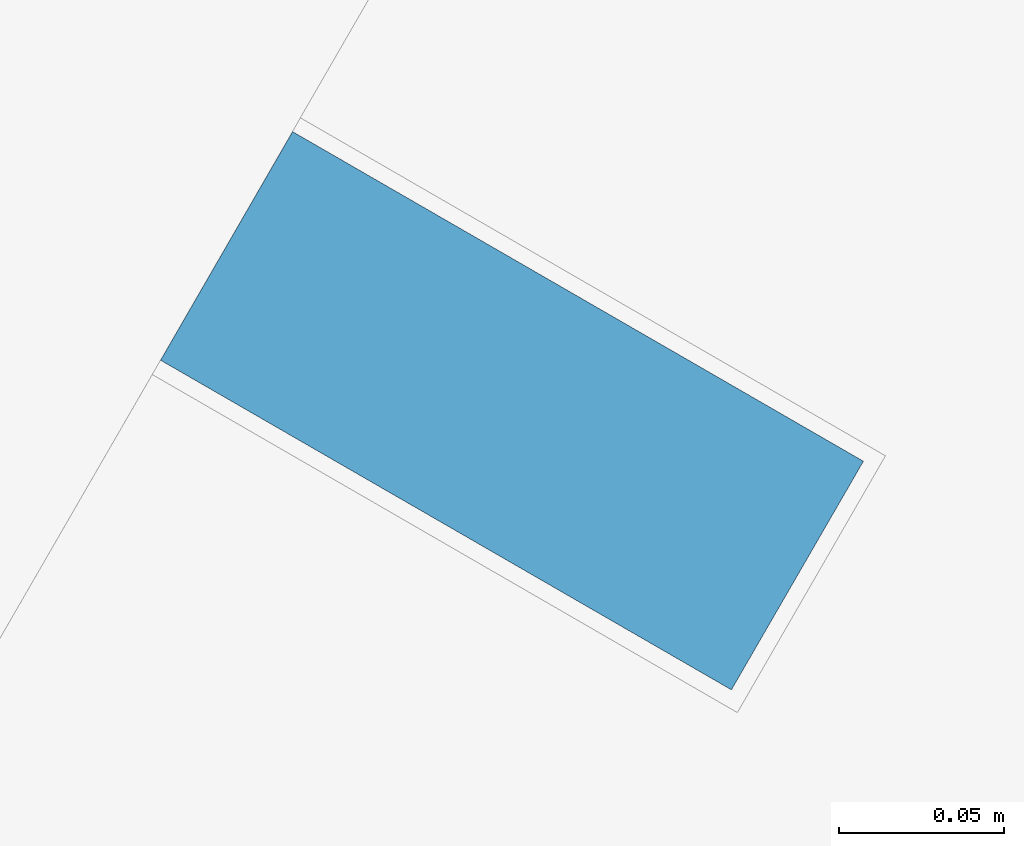
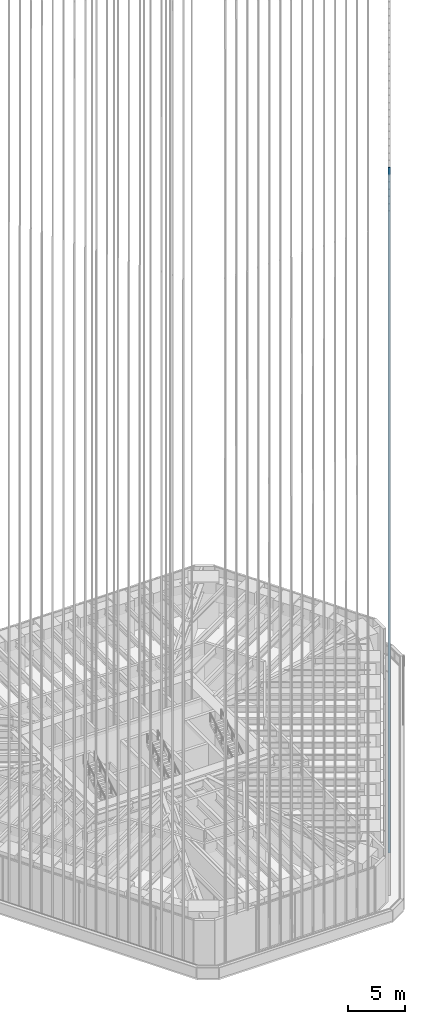
# One storey, part 88 of 228: 1 member, 1 element without a shape of its own.
"""IFC4 building model written with IfcOpenShell, lengths in metres."""

from ifc_helpers import new_model, si_unit, direction, frame, origin, origin_2d, place, context, subcontext, project, spatial, rectangle, extrude, material, material_profile, profile_set, type_object, element, aggregate, save


model = new_model("IFC4")

# Units and contexts
model_context = context("Model", 3, precision=1e-05, world=origin(), true_north=direction((0.0, 1.0)))
body_context = subcontext(model_context, "Body", "Model", "MODEL_VIEW")
ifc_project = project(units=[si_unit("LENGTHUNIT", "METRE"), si_unit("AREAUNIT", "SQUARE_METRE"), si_unit("VOLUMEUNIT", "CUBIC_METRE"), si_unit("PLANEANGLEUNIT", "RADIAN"), si_unit("MASSUNIT", "GRAM", prefix="KILO")], contexts=[model_context])

# Site, building, storey
site_placement = place(None, origin())
site = spatial("IfcSite", under=ifc_project, at=site_placement, CompositionType="ELEMENT")
building_placement = place(site_placement, origin())
building = spatial("IfcBuilding", under=site, at=building_placement, Name="Sandreach Pilgrim Tower", CompositionType="ELEMENT")
storey_placement = place(building_placement, frame((0.0, 0.0, 178.199951171875)))
storey = spatial("IfcBuildingStorey", under=building, at=storey_placement, Name="L44", CompositionType="ELEMENT", Elevation=178.199951171875)

# Curtain wall, member
ifc_material_1 = material(Name="Aluminium framed curtain wall", Category="aluminium")
curtain_wall_type = type_object("IfcCurtainWallType", Name="Upper hotel tower curtain wall", PredefinedType="NOTDEFINED", material=ifc_material_1)
curtain_wall_placement = place(storey_placement, origin())
curtain_wall = element("IfcCurtainWall", 1, at=curtain_wall_placement, inside=storey, type_object=curtain_wall_type, Name="CW-3 L44 SE", PredefinedType="NOTDEFINED")
ifc_material_2 = material(Name="Extruded terracotta on aluminium core", Category="masonry")
ifc_material_profile = material_profile(ifc_material_2, rectangle(XDim=0.080078125, YDim=0.199951171875, at=origin_2d()), Name="TBE 80X200")
ifc_profile_set = profile_set([ifc_material_profile], Name="Extruded terracotta on aluminium core")
member_type = type_object("IfcMemberType", Name="Terracotta baguette east", PredefinedType="USERDEFINED", material=ifc_profile_set)
member_placement = place(storey_placement, frame((13.7158203125, -19.36376953125, 0.0), z_axis=(0.0, 0.0, 1.0), x_axis=(-0.5, -0.866025403784, 0.0)))
member = element("IfcMember", 2, at=member_placement, type_object=member_type, Name="Baguette Z3 SE25", ObjectType="BAGUETTE", PredefinedType="USERDEFINED", context=body_context, shape_type="SweptSolid", body=[
    extrude(rectangle(XDim=0.080078125, YDim=0.199951171875, at=origin_2d()), origin(), (0.0, 0.0, 1.0), 73.239990234375),
])
aggregate(curtain_wall, [member])

save(model, "model.ifc")
